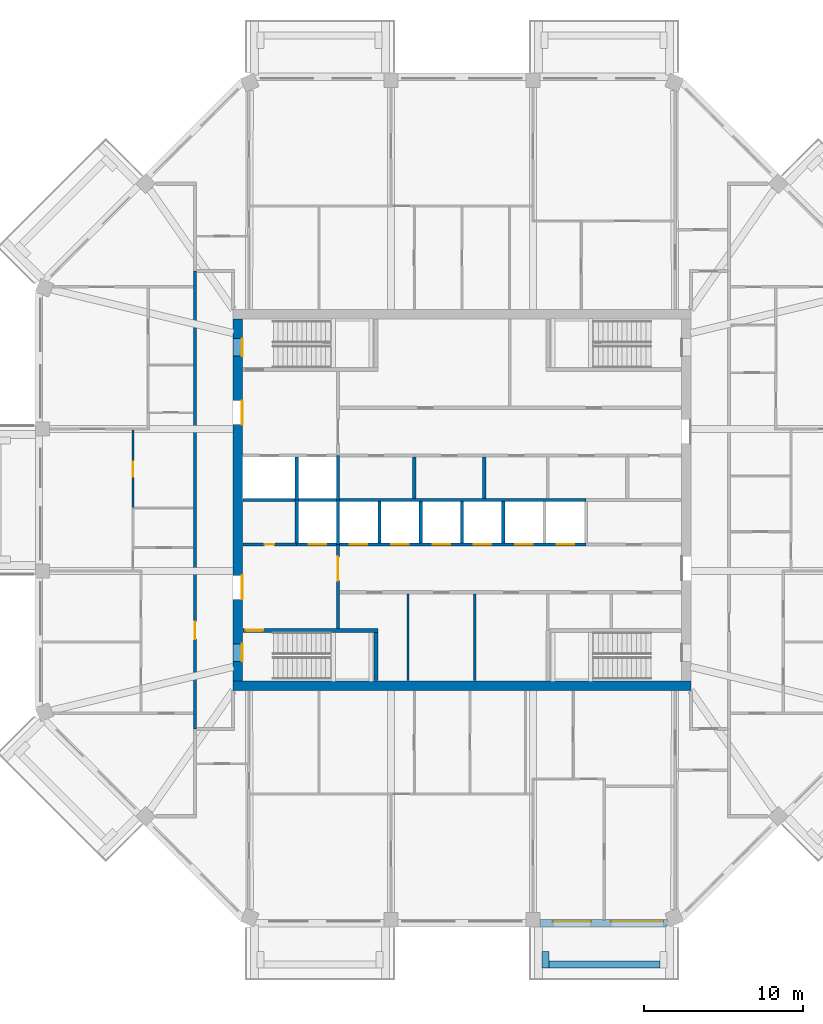
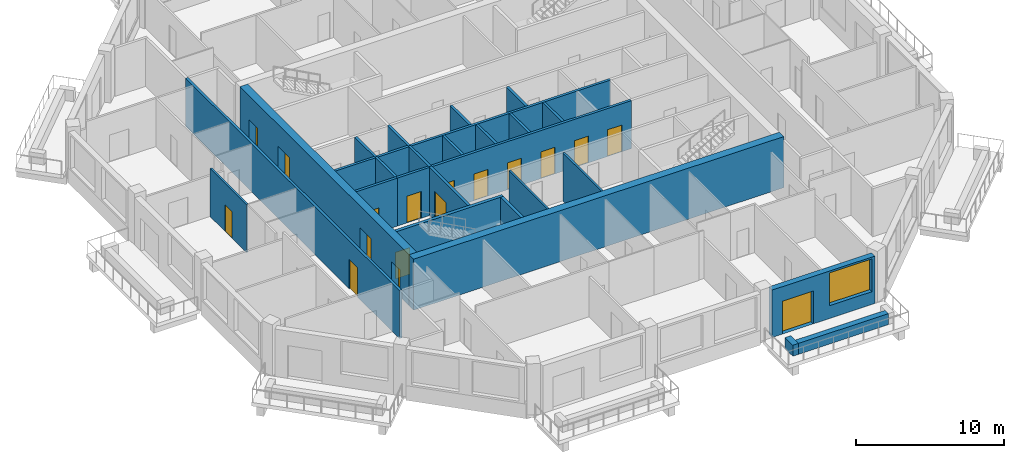
# One storey, part 4 of 12: 25 walls, 17 doors, 1 window, 18 openings.
"""IFC4 building model written with IfcOpenShell, lengths in metres."""

from ifc_helpers import new_model, si_unit, direction, frame, frame_2d, origin, place, context, subcontext, project, spatial, rectangle, extrude, material, layer, layer_set, type_object, element, fill, save


model = new_model("IFC4")

# Units and contexts
model_context = context("Model", 3, precision=1e-05, world=origin(), true_north=direction((0.0, 1.0)))
body_context = subcontext(model_context, "Body", "Model", "MODEL_VIEW")
ifc_project = project(units=[si_unit("LENGTHUNIT", "METRE"), si_unit("AREAUNIT", "SQUARE_METRE"), si_unit("VOLUMEUNIT", "CUBIC_METRE"), si_unit("PLANEANGLEUNIT", "RADIAN"), si_unit("MASSUNIT", "GRAM", prefix="KILO")], contexts=[model_context])

# Site, building, storey
site_placement = place(None, origin())
site = spatial("IfcSite", under=ifc_project, at=site_placement, CompositionType="ELEMENT")
building_placement = place(site_placement, origin())
building = spatial("IfcBuilding", under=site, at=building_placement, Name="Msitu Wima Residences", CompositionType="ELEMENT")
storey_placement = place(building_placement, frame((0.0, 0.0, 222.300048828125)))
storey = spatial("IfcBuildingStorey", under=building, at=storey_placement, Name="L51", CompositionType="ELEMENT", Elevation=222.300048828125)

# Walls
ifc_material_1 = material(Name="Facing brick")
ifc_layer_1 = layer(ifc_material_1, 0.06494140625, Name="Facing brick")
ifc_material_2 = material(Name="Concrete C40/50", Category="concrete")
ifc_layer_2 = layer(ifc_material_2, 0.156005859375, Name="Concrete C40/50")
ifc_material_3 = material(Name="Waterproofing membrane")
ifc_layer_3 = layer(ifc_material_3, 0.00390625, Name="Waterproofing membrane")
ifc_material_4 = material(Name="Planting soil and planting")
ifc_layer_4 = layer(ifc_material_4, 0.22509765625, Name="Planting soil and planting")
ifc_layer_set_1 = layer_set([ifc_layer_1, ifc_layer_2, ifc_layer_3, ifc_layer_4], Name="Concrete C40/50")
wall_type_1 = type_object("IfcWallType", Name="Balcony planter PLANTER PL450", PredefinedType="USERDEFINED", material=ifc_layer_set_1)
wall_1_placement = place(storey_placement, frame((5.468505859375, -29.22509765625, 0.0), z_axis=(0.0, 0.0, 1.0), x_axis=(1.0, 0.0, 0.0)))
element("IfcWall", 1, at=wall_1_placement, inside=storey, type_object=wall_type_1, Name="Balcony planter S2 L51", ObjectType="PLANTER", PredefinedType="USERDEFINED", context=body_context, shape_type="SweptSolid", body=[
    extrude(rectangle(XDim=6.9873046875, YDim=0.449951171875, at=frame_2d((3.49365234375, 0.0))), origin(), (0.0, 0.0, 1.0), 0.89990234375),
])
wall_2_placement = place(storey_placement, frame((5.24365234375, -28.39990234375, 0.0), z_axis=(0.0, 0.0, 1.0), x_axis=(0.0, -1.0, 0.0)))
element("IfcWall", 2, at=wall_2_placement, inside=storey, type_object=wall_type_1, Name="Balcony planter S2 L51", ObjectType="PLANTER", PredefinedType="USERDEFINED", context=body_context, shape_type="SweptSolid", body=[
    extrude(rectangle(XDim=1.050048828125, YDim=0.449951171875, at=frame_2d((0.52490234375, 0.0))), origin(), (0.0, 0.0, 1.0), 0.89990234375),
])

# Wall, openings, door, window
ifc_material_5 = material(Name="Brick (red buff mix)", Category="masonry")
ifc_layer_5 = layer(ifc_material_5, 0.449951171875)
ifc_layer_set_2 = layer_set([ifc_layer_5], Name="Brick (red buff mix)")
wall_type_2 = type_object("IfcWallType", Name="Brick infill wall BW450", PredefinedType="SOLIDWALL", material=ifc_layer_set_2)
wall_3_placement = place(storey_placement, frame((4.918701171875, -26.625, 0.0), z_axis=(0.0, 0.0, 1.0), x_axis=(1.0, 0.0, 0.0)))
wall_3 = element("IfcWall", 3, at=wall_3_placement, inside=storey, type_object=wall_type_2, Name="Brick infill wall L51 S2", PredefinedType="SOLIDWALL", context=body_context, shape_type="SweptSolid", body=[
    extrude(rectangle(XDim=8.0, YDim=0.449951171875, at=frame_2d((4.0, 0.0))), origin(), (0.0, 0.0, 1.0), 3.89990234375),
])
opening_1_placement = place(wall_3_placement, frame((0.800048828125, 0.0, 0.0)))
opening_1 = element("IfcOpeningElement", 4, at=opening_1_placement, cuts=wall_3, Name="Opening D50-51.007", PredefinedType="OPENING", context=body_context, shape_type="SweptSolid", body=[
    extrude(rectangle(XDim=2.39990234375, YDim=2.699951171875, at=frame_2d((1.199951171875, 1.35009765625))), frame((0.0, 0.23486328125, 0.0), z_axis=(0.0, -1.0, 0.0), x_axis=(1.0, 0.0, 0.0)), (0.0, 0.0, 1.0), 0.469970703125),
])
opening_2_placement = place(wall_3_placement, frame((4.4501953125, 0.0, 1.050048828125)))
opening_2 = element("IfcOpeningElement", 5, at=opening_2_placement, cuts=wall_3, Name="Opening W50-51.019", PredefinedType="OPENING", context=body_context, shape_type="SweptSolid", body=[
    extrude(rectangle(XDim=3.300048828125, YDim=2.699951171875, at=frame_2d((1.64990234375, 1.35009765625))), frame((0.0, 0.23486328125, 0.0), z_axis=(0.0, -1.0, 0.0), x_axis=(1.0, 0.0, 0.0)), (0.0, 0.0, 1.0), 0.469970703125),
])
ifc_material_6 = material(Name="Anodised aluminium, bronze finish, clear low-emissivity double glazing", Category="aluminium")
door_type_1 = type_object("IfcDoorType", Name="Balcony door D2400x2700", OperationType="SLIDING_TO_LEFT", PredefinedType="DOOR", material=ifc_material_6)
door_1_placement = place(opening_1_placement, origin())
door_1 = element("IfcDoor", 6, at=door_1_placement, inside=storey, type_object=door_type_1, Name="Balcony door L51 S2", OperationType="SINGLE_SWING_LEFT", OverallHeight=2.699951171875, OverallWidth=2.39990234375, PredefinedType="DOOR", context=body_context, shape_type="SweptSolid", body=[
    extrude(rectangle(XDim=2.39990234375, YDim=2.699951171875, at=frame_2d((1.199951171875, 1.35009765625))), frame((0.0, 0.1298828125, 0.0), z_axis=(0.0, -1.0, 0.0), x_axis=(1.0, 0.0, 0.0)), (0.0, 0.0, 1.0), 0.050048828125),
])
fill(opening_1, door_1)
window_type = type_object("IfcWindowType", Name="Window W3300x2700", PartitioningType="DOUBLE_PANEL_VERTICAL", PredefinedType="WINDOW", material=ifc_material_6)
window_placement = place(opening_2_placement, origin())
window = element("IfcWindow", 7, at=window_placement, inside=storey, type_object=window_type, Name="Window L51 S2.2", OverallHeight=2.699951171875, OverallWidth=3.300048828125, PartitioningType="SINGLE_PANEL", PredefinedType="WINDOW", context=body_context, shape_type="SweptSolid", body=[
    extrude(rectangle(XDim=3.300048828125, YDim=2.699951171875, at=frame_2d((1.64990234375, 1.35009765625))), frame((0.0, 0.135009765625, 0.0), z_axis=(0.0, -1.0, 0.0), x_axis=(1.0, 0.0, 0.0)), (0.0, 0.0, 1.0), 0.06005859375),
])
fill(opening_2, window)

# Wall
ifc_material_7 = material(Name="Concrete C50/60", Category="concrete")
ifc_layer_6 = layer(ifc_material_7, 0.60009765625)
ifc_layer_set_3 = layer_set([ifc_layer_6], Name="Concrete C50/60")
wall_type_3 = type_object("IfcWallType", Name="Core wall CW600 C50/60", PredefinedType="SHEAR", material=ifc_layer_set_3)
wall_4_placement = place(storey_placement, frame((-14.39990234375, -11.699951171875, 0.0), z_axis=(0.0, 0.0, 1.0), x_axis=(1.0, 0.0, 0.0)))
element("IfcWall", 8, at=wall_4_placement, inside=storey, type_object=wall_type_3, Name="Core wall", PredefinedType="SHEAR", context=body_context, shape_type="SweptSolid", body=[
    extrude(rectangle(XDim=28.7998046875, YDim=0.60009765625, at=frame_2d((14.39990234375, 0.0))), origin(), (0.0, 0.0, 1.0), 4.199951171875),
])

# Wall, openings, doors
wall_5_placement = place(storey_placement, frame((-14.10009765625, -11.39990234375, 0.0), z_axis=(0.0, 0.0, 1.0), x_axis=(0.0, 1.0, 0.0)))
wall_5 = element("IfcWall", 9, at=wall_5_placement, inside=storey, type_object=wall_type_3, Name="Core wall", PredefinedType="SHEAR", context=body_context, shape_type="SweptSolid", body=[
    extrude(rectangle(XDim=22.7998046875, YDim=0.60009765625, at=frame_2d((11.39990234375, 0.0))), origin(), (0.0, 0.0, 1.0), 4.199951171875),
])
opening_3_placement = place(wall_5_placement, frame((20.449951171875, 0.0, 0.0)))
opening_3 = element("IfcOpeningElement", 10, at=opening_3_placement, cuts=wall_5, Name="Opening D50-51.080", PredefinedType="OPENING", context=body_context, shape_type="SweptSolid", body=[
    extrude(rectangle(XDim=1.10009765625, YDim=2.199951171875, at=frame_2d((0.550048828125, 1.10009765625))), frame((0.0, 0.31005859375, 0.0), z_axis=(0.0, -1.0, 0.0), x_axis=(1.0, 0.0, 0.0)), (0.0, 0.0, 1.0), 0.6201171875),
])
opening_4_placement = place(wall_5_placement, frame((1.25, 0.0, 0.0)))
opening_4 = element("IfcOpeningElement", 11, at=opening_4_placement, cuts=wall_5, Name="Opening D50-51.082", PredefinedType="OPENING", context=body_context, shape_type="SweptSolid", body=[
    extrude(rectangle(XDim=1.10009765625, YDim=2.199951171875, at=frame_2d((0.550048828125, 1.10009765625))), frame((0.0, 0.31005859375, 0.0), z_axis=(0.0, -1.0, 0.0), x_axis=(1.0, 0.0, 0.0)), (0.0, 0.0, 1.0), 0.6201171875),
])
opening_5_placement = place(wall_5_placement, frame((16.14990234375, 0.0, 0.0)))
opening_5 = element("IfcOpeningElement", 12, at=opening_5_placement, cuts=wall_5, Name="Opening D50-51.061", PredefinedType="OPENING", context=body_context, shape_type="SweptSolid", body=[
    extrude(rectangle(XDim=1.5, YDim=2.39990234375, at=frame_2d((0.75, 1.199951171875))), frame((0.0, 0.31005859375, 0.0), z_axis=(0.0, -1.0, 0.0), x_axis=(1.0, 0.0, 0.0)), (0.0, 0.0, 1.0), 0.6201171875),
])
opening_6_placement = place(wall_5_placement, frame((5.14990234375, 0.0, 0.0)))
opening_6 = element("IfcOpeningElement", 13, at=opening_6_placement, cuts=wall_5, Name="Opening D50-51.063", PredefinedType="OPENING", context=body_context, shape_type="SweptSolid", body=[
    extrude(rectangle(XDim=1.5, YDim=2.39990234375, at=frame_2d((0.75, 1.199951171875))), frame((0.0, 0.31005859375, 0.0), z_axis=(0.0, -1.0, 0.0), x_axis=(1.0, 0.0, 0.0)), (0.0, 0.0, 1.0), 0.6201171875),
])
ifc_material_8 = material(Name="Steel framed glazed door, fire resisting", Category="steel")
door_type_2 = type_object("IfcDoorType", Name="Lobby door D07 1500x2400", OperationType="DOUBLE_DOOR_SINGLE_SWING", PredefinedType="DOOR", material=ifc_material_8)
door_2_placement = place(opening_5_placement, origin())
door_2 = element("IfcDoor", 14, at=door_2_placement, inside=storey, type_object=door_type_2, Name="Lobby door", OperationType="DOUBLE_DOOR_SINGLE_SWING", OverallHeight=2.39990234375, OverallWidth=1.5, PredefinedType="DOOR", context=body_context, shape_type="SweptSolid", body=[
    extrude(rectangle(XDim=1.5, YDim=2.39990234375, at=frame_2d((0.75, 1.199951171875))), frame((0.0, -0.2451171875, 0.0), z_axis=(0.0, -1.0, 0.0), x_axis=(1.0, 0.0, 0.0)), (0.0, 0.0, 1.0), 0.050048828125),
])
fill(opening_5, door_2)
door_3_placement = place(opening_6_placement, origin())
door_3 = element("IfcDoor", 15, at=door_3_placement, inside=storey, type_object=door_type_2, Name="Lobby door", OperationType="DOUBLE_DOOR_SINGLE_SWING", OverallHeight=2.39990234375, OverallWidth=1.5, PredefinedType="DOOR", context=body_context, shape_type="SweptSolid", body=[
    extrude(rectangle(XDim=1.5, YDim=2.39990234375, at=frame_2d((0.75, 1.199951171875))), frame((0.0, -0.2451171875, 0.0), z_axis=(0.0, -1.0, 0.0), x_axis=(1.0, 0.0, 0.0)), (0.0, 0.0, 1.0), 0.050048828125),
])
fill(opening_6, door_3)
ifc_material_9 = material(Name="Steel door, fire resisting, panic bar", Category="steel")
door_type_3 = type_object("IfcDoorType", Name="Stair door D06 1100x2200", OperationType="SINGLE_SWING_LEFT", PredefinedType="DOOR", material=ifc_material_9)
door_4_placement = place(opening_3_placement, origin())
door_4 = element("IfcDoor", 16, at=door_4_placement, inside=storey, type_object=door_type_3, Name="Stair door", OperationType="SINGLE_SWING_RIGHT", OverallHeight=2.199951171875, OverallWidth=1.10009765625, PredefinedType="DOOR", context=body_context, shape_type="SweptSolid", body=[
    extrude(rectangle(XDim=1.10009765625, YDim=2.199951171875, at=frame_2d((0.550048828125, 1.10009765625))), frame((0.0, -0.2451171875, 0.0), z_axis=(0.0, -1.0, 0.0), x_axis=(1.0, 0.0, 0.0)), (0.0, 0.0, 1.0), 0.050048828125),
])
fill(opening_3, door_4)
door_5_placement = place(opening_4_placement, origin())
door_5 = element("IfcDoor", 17, at=door_5_placement, inside=storey, type_object=door_type_3, Name="Stair door", OperationType="SINGLE_SWING_LEFT", OverallHeight=2.199951171875, OverallWidth=1.10009765625, PredefinedType="DOOR", context=body_context, shape_type="SweptSolid", body=[
    extrude(rectangle(XDim=1.10009765625, YDim=2.199951171875, at=frame_2d((0.550048828125, 1.10009765625))), frame((0.0, -0.2451171875, 0.0), z_axis=(0.0, -1.0, 0.0), x_axis=(1.0, 0.0, 0.0)), (0.0, 0.0, 1.0), 0.050048828125),
])
fill(opening_4, door_5)

# Wall, opening, door
ifc_material_10 = material(Name="Plaster")
ifc_layer_7 = layer(ifc_material_10, 0.011962890625, Name="Plaster")
ifc_material_11 = material(Name="Concrete blockwork", Category="masonry")
ifc_layer_8 = layer(ifc_material_11, 0.176025390625, Name="Concrete blockwork")
ifc_layer_9 = layer(ifc_material_10, 0.011962890625, Name="Plaster")
ifc_layer_set_4 = layer_set([ifc_layer_7, ifc_layer_8, ifc_layer_9], Name="Concrete blockwork")
wall_type_4 = type_object("IfcWallType", Name="Corridor wall FW200", PredefinedType="PARTITIONING", material=ifc_layer_set_4)
wall_6_placement = place(storey_placement, frame((-16.800048828125, -14.39990234375, 0.0), z_axis=(0.0, 0.0, 1.0), x_axis=(0.0, 1.0, 0.0)))
wall_6 = element("IfcWall", 18, at=wall_6_placement, inside=storey, type_object=wall_type_4, Name="Corridor wall", PredefinedType="PARTITIONING", context=body_context, shape_type="SweptSolid", body=[
    extrude(rectangle(XDim=28.7998046875, YDim=0.199951171875, at=frame_2d((14.39990234375, 0.0))), origin(), (0.0, 0.0, 1.0), 3.949951171875),
])
opening_7_placement = place(wall_6_placement, frame((5.64990234375, 0.0, 0.0)))
opening_7 = element("IfcOpeningElement", 19, at=opening_7_placement, cuts=wall_6, Name="Opening D50-51.035", PredefinedType="OPENING", context=body_context, shape_type="SweptSolid", body=[
    extrude(rectangle(XDim=1.10009765625, YDim=2.39990234375, at=frame_2d((0.550048828125, 1.199951171875))), frame((0.0, 0.10986328125, 0.0), z_axis=(0.0, -1.0, 0.0), x_axis=(1.0, 0.0, 0.0)), (0.0, 0.0, 1.0), 0.219970703125),
])
ifc_material_12 = material(Name="Timber flush door, fire resisting, self-closing", Category="wood")
door_type_4 = type_object("IfcDoorType", Name="Flat entrance door D01 1100x2400", OperationType="SINGLE_SWING_LEFT", PredefinedType="DOOR", material=ifc_material_12)
door_6_placement = place(opening_7_placement, origin())
door_6 = element("IfcDoor", 20, at=door_6_placement, inside=storey, type_object=door_type_4, Name="Flat entrance door", OperationType="SINGLE_SWING_LEFT", OverallHeight=2.39990234375, OverallWidth=1.10009765625, PredefinedType="DOOR", context=body_context, shape_type="SweptSolid", body=[
    extrude(rectangle(XDim=1.10009765625, YDim=2.39990234375, at=frame_2d((0.550048828125, 1.199951171875))), frame((0.0, 0.02490234375, 0.0), z_axis=(0.0, -1.0, 0.0), x_axis=(1.0, 0.0, 0.0)), (0.0, 0.0, 1.0), 0.050048828125),
])
fill(opening_7, door_6)

wall_7_placement = place(storey_placement, frame((-7.800048828125, -8.074951171875, 0.0), z_axis=(0.0, 0.0, 1.0), x_axis=(0.0, 1.0, 0.0)))
wall_7 = element("IfcWall", 21, at=wall_7_placement, inside=storey, type_object=wall_type_4, Name="Corridor wall", PredefinedType="PARTITIONING", context=body_context, shape_type="SweptSolid", body=[
    extrude(rectangle(XDim=5.27490234375, YDim=0.199951171875, at=frame_2d((2.637451171875, 0.0))), origin(), (0.0, 0.0, 1.0), 3.949951171875),
])
opening_8_placement = place(wall_7_placement, frame((3.0, 0.0, 0.0)))
opening_8 = element("IfcOpeningElement", 22, at=opening_8_placement, cuts=wall_7, Name="Opening D50-51.064", PredefinedType="OPENING", context=body_context, shape_type="SweptSolid", body=[
    extrude(rectangle(XDim=1.5, YDim=2.39990234375, at=frame_2d((0.75, 1.199951171875))), frame((0.0, 0.10986328125, 0.0), z_axis=(0.0, -1.0, 0.0), x_axis=(1.0, 0.0, 0.0)), (0.0, 0.0, 1.0), 0.219970703125),
])
door_7_placement = place(opening_8_placement, origin())
door_7 = element("IfcDoor", 23, at=door_7_placement, inside=storey, type_object=door_type_2, Name="Lobby door", OperationType="DOUBLE_DOOR_SINGLE_SWING", OverallHeight=2.39990234375, OverallWidth=1.5, PredefinedType="DOOR", context=body_context, shape_type="SweptSolid", body=[
    extrude(rectangle(XDim=1.5, YDim=2.39990234375, at=frame_2d((0.75, 1.199951171875))), frame((0.0, 0.02490234375, 0.0), z_axis=(0.0, -1.0, 0.0), x_axis=(1.0, 0.0, 0.0)), (0.0, 0.0, 1.0), 0.050048828125),
])
fill(opening_8, door_7)

ifc_layer_10 = layer(ifc_material_10, 0.011962890625, Name="Plaster")
ifc_layer_11 = layer(ifc_material_11, 0.1259765625, Name="Concrete blockwork")
ifc_layer_12 = layer(ifc_material_10, 0.011962890625, Name="Plaster")
ifc_layer_set_5 = layer_set([ifc_layer_10, ifc_layer_11, ifc_layer_12], Name="Concrete blockwork")
wall_type_5 = type_object("IfcWallType", Name="Partition PW150", PredefinedType="PARTITIONING", material=ifc_layer_set_5)
wall_8_placement = place(storey_placement, frame((-20.699951171875, -0.5, 0.0), z_axis=(0.0, 0.0, 1.0), x_axis=(0.0, 1.0, 0.0)))
wall_8 = element("IfcWall", 24, at=wall_8_placement, inside=storey, type_object=wall_type_5, Name="Partition", PredefinedType="PARTITIONING", context=body_context, shape_type="SweptSolid", body=[
    extrude(rectangle(XDim=4.8935546875, YDim=0.14990234375, at=frame_2d((2.44677734375, 0.0))), origin(), (0.0, 0.0, 1.0), 3.949951171875),
])
opening_9_placement = place(wall_8_placement, frame((1.949951171875, 0.0, 0.0)))
opening_9 = element("IfcOpeningElement", 25, at=opening_9_placement, cuts=wall_8, Name="Opening D50-51.044", PredefinedType="OPENING", context=body_context, shape_type="SweptSolid", body=[
    extrude(rectangle(XDim=0.949951171875, YDim=2.199951171875, at=frame_2d((0.47509765625, 1.10009765625))), frame((0.0, 0.0849609375, 0.0), z_axis=(0.0, -1.0, 0.0), x_axis=(1.0, 0.0, 0.0)), (0.0, 0.0, 1.0), 0.169921875),
])
ifc_material_13 = material(Name="Timber flush door", Category="wood")
door_type_5 = type_object("IfcDoorType", Name="Room door D12 950x2200", OperationType="SINGLE_SWING_LEFT", PredefinedType="DOOR", material=ifc_material_13)
door_8_placement = place(opening_9_placement, origin())
door_8 = element("IfcDoor", 26, at=door_8_placement, inside=storey, type_object=door_type_5, Name="Room door", OperationType="SINGLE_SWING_RIGHT", OverallHeight=2.199951171875, OverallWidth=0.949951171875, PredefinedType="DOOR", context=body_context, shape_type="SweptSolid", body=[
    extrude(rectangle(XDim=0.949951171875, YDim=2.199951171875, at=frame_2d((0.47509765625, 1.10009765625))), frame((0.0, 0.02490234375, 0.0), z_axis=(0.0, -1.0, 0.0), x_axis=(1.0, 0.0, 0.0)), (0.0, 0.0, 1.0), 0.050048828125),
])
fill(opening_9, door_8)

# Walls
for number, where, z_axis, x_axis, name in (
    (27, (-3.39990234375, -11.3701171875, 0.0), (0.0, 0.0, 1.0), (0.0, 1.0, 0.0), "Partition"),
    (28, (0.800048828125, -11.3701171875, 0.0), (0.0, 0.0, 1.0), (0.0, 1.0, 0.0), "Partition"),
):
    element("IfcWall", number, at=place(storey_placement, frame(where, z_axis=z_axis, x_axis=x_axis)), inside=storey, type_object=wall_type_5, Name=name, PredefinedType="PARTITIONING", context=body_context, shape_type="SweptSolid", body=[
        extrude(rectangle(XDim=5.47021484375, YDim=0.14990234375, at=frame_2d((2.735107421875, 0.0))), origin(), (0.0, 0.0, 1.0), 3.949951171875),
    ])

# Wall, opening, door
ifc_layer_13 = layer(ifc_material_10, 0.011962890625, Name="Plaster")
ifc_material_14 = material(Name="Reinforced concrete blockwork", Category="masonry")
ifc_layer_14 = layer(ifc_material_14, 0.176025390625, Name="Reinforced concrete blockwork")
ifc_layer_15 = layer(ifc_material_10, 0.011962890625, Name="Plaster")
ifc_layer_set_6 = layer_set([ifc_layer_13, ifc_layer_14, ifc_layer_15], Name="Reinforced concrete blockwork")
wall_type_6 = type_object("IfcWallType", Name="Plant and riser wall PL200", PredefinedType="PARTITIONING", material=ifc_layer_set_6)
wall_9_placement = place(storey_placement, frame((-13.77001953125, -2.800048828125, 0.0), z_axis=(0.0, 0.0, 1.0), x_axis=(1.0, 0.0, 0.0)))
wall_9 = element("IfcWall", 29, at=wall_9_placement, inside=storey, type_object=wall_type_6, Name="Plant and riser wall", PredefinedType="PARTITIONING", context=body_context, shape_type="SweptSolid", body=[
    extrude(rectangle(XDim=3.3701171875, YDim=0.199951171875, at=frame_2d((1.68505859375, 0.0))), origin(), (0.0, 0.0, 1.0), 3.949951171875),
])
opening_10_placement = place(wall_9_placement, frame((1.35009765625, 0.0, 0.0)))
opening_10 = element("IfcOpeningElement", 30, at=opening_10_placement, cuts=wall_9, Name="Opening D50-51.079", PredefinedType="OPENING", context=body_context, shape_type="SweptSolid", body=[
    extrude(rectangle(XDim=0.60009765625, YDim=2.0, at=frame_2d((0.300048828125, 1.0))), frame((0.0, 0.10986328125, 0.0), z_axis=(0.0, -1.0, 0.0), x_axis=(1.0, 0.0, 0.0)), (0.0, 0.0, 1.0), 0.219970703125),
])
ifc_material_15 = material(Name="Steel access door, fire resisting", Category="steel")
door_type_6 = type_object("IfcDoorType", Name="Riser access door D08 600x2000", OperationType="SINGLE_SWING_LEFT", PredefinedType="DOOR", material=ifc_material_15)
door_9_placement = place(opening_10_placement, origin())
door_9 = element("IfcDoor", 31, at=door_9_placement, inside=storey, type_object=door_type_6, Name="Riser access door", OperationType="SINGLE_SWING_RIGHT", OverallHeight=2.0, OverallWidth=0.60009765625, PredefinedType="DOOR", context=body_context, shape_type="SweptSolid", body=[
    extrude(rectangle(XDim=0.60009765625, YDim=2.0, at=frame_2d((0.300048828125, 1.0))), frame((0.0, 0.02490234375, 0.0), z_axis=(0.0, -1.0, 0.0), x_axis=(1.0, 0.0, 0.0)), (0.0, 0.0, 1.0), 0.050048828125),
])
fill(opening_10, door_9)

# Walls
for number, where, z_axis, x_axis, name in (
    (32, (-3.0, 0.10009765625, 0.0), (0.0, 0.0, 1.0), (0.0, 1.0, 0.0), "Plant and riser wall"),
    (33, (1.39990234375, 0.10009765625, 0.0), (0.0, 0.0, 1.0), (0.0, 1.0, 0.0), "Plant and riser wall"),
):
    element("IfcWall", number, at=place(storey_placement, frame(where, z_axis=z_axis, x_axis=x_axis)), inside=storey, type_object=wall_type_6, Name=name, PredefinedType="PARTITIONING", context=body_context, shape_type="SweptSolid", body=[
        extrude(rectangle(XDim=2.599853515625, YDim=0.199951171875, at=frame_2d((1.2998046875, 0.0))), origin(), (0.0, 0.0, 1.0), 3.949951171875),
    ])
ifc_material_16 = material(Name="Fire-rated board")
ifc_layer_16 = layer(ifc_material_16, 0.02490234375, Name="Fire-rated board")
ifc_material_17 = material(Name="Light-gauge stud framing with mineral wool")
ifc_layer_17 = layer(ifc_material_17, 0.14990234375, Name="Light-gauge stud framing with mineral wool")
ifc_layer_18 = layer(ifc_material_16, 0.02490234375, Name="Fire-rated board")
ifc_layer_set_7 = layer_set([ifc_layer_16, ifc_layer_17, ifc_layer_18], Name="Light-gauge stud framing with mineral wool")
wall_type_7 = type_object("IfcWallType", Name="Shaft wall SH200", PredefinedType="PARTITIONING", material=ifc_layer_set_7)
wall_10_placement = place(storey_placement, frame((-13.77001953125, 0.0, 0.0), z_axis=(0.0, 0.0, 1.0), x_axis=(1.0, 0.0, 0.0)))
element("IfcWall", 34, at=wall_10_placement, inside=storey, type_object=wall_type_7, Name="Shaft wall", PredefinedType="PARTITIONING", context=body_context, shape_type="SweptSolid", body=[
    extrude(rectangle(XDim=21.570068359375, YDim=0.199951171875, at=frame_2d((10.78515625, 0.0))), origin(), (0.0, 0.0, 1.0), 3.949951171875),
])
wall_11_placement = place(storey_placement, frame((-10.39990234375, -2.699951171875, 0.0), z_axis=(0.0, 0.0, 1.0), x_axis=(0.0, 1.0, 0.0)))
element("IfcWall", 35, at=wall_11_placement, inside=storey, type_object=wall_type_7, Name="Shaft wall", PredefinedType="PARTITIONING", context=body_context, shape_type="SweptSolid", body=[
    extrude(rectangle(XDim=2.699951171875, YDim=0.199951171875, at=frame_2d((1.35009765625, 0.0))), origin(), (0.0, 0.0, 1.0), 3.949951171875),
])

# Wall, openings, doors
wall_12_placement = place(storey_placement, frame((-10.39990234375, -2.800048828125, 0.0), z_axis=(0.0, 0.0, 1.0), x_axis=(1.0, 0.0, 0.0)))
wall_12 = element("IfcWall", 36, at=wall_12_placement, inside=storey, type_object=wall_type_7, Name="Shaft wall", PredefinedType="PARTITIONING", context=body_context, shape_type="SweptSolid", body=[
    extrude(rectangle(XDim=18.199951171875, YDim=0.199951171875, at=frame_2d((9.10009765625, 0.0))), origin(), (0.0, 0.0, 1.0), 3.949951171875),
])
opening_11_placement = place(wall_12_placement, frame((0.75, 0.0, 0.0)))
opening_11 = element("IfcOpeningElement", 37, at=opening_11_placement, cuts=wall_12, Name="Opening LD", PredefinedType="OPENING", context=body_context, shape_type="SweptSolid", body=[
    extrude(rectangle(XDim=1.10009765625, YDim=2.199951171875, at=frame_2d((0.550048828125, 1.10009765625))), frame((0.0, 0.10986328125, 0.0), z_axis=(0.0, -1.0, 0.0), x_axis=(1.0, 0.0, 0.0)), (0.0, 0.0, 1.0), 0.219970703125),
])
opening_12_placement = place(wall_12_placement, frame((3.35009765625, 0.0, 0.0)))
opening_12 = element("IfcOpeningElement", 38, at=opening_12_placement, cuts=wall_12, Name="Opening LD", PredefinedType="OPENING", context=body_context, shape_type="SweptSolid", body=[
    extrude(rectangle(XDim=1.10009765625, YDim=2.199951171875, at=frame_2d((0.550048828125, 1.10009765625))), frame((0.0, 0.10986328125, 0.0), z_axis=(0.0, -1.0, 0.0), x_axis=(1.0, 0.0, 0.0)), (0.0, 0.0, 1.0), 0.219970703125),
])
opening_13_placement = place(wall_12_placement, frame((5.949951171875, 0.0, 0.0)))
opening_13 = element("IfcOpeningElement", 39, at=opening_13_placement, cuts=wall_12, Name="Opening LD", PredefinedType="OPENING", context=body_context, shape_type="SweptSolid", body=[
    extrude(rectangle(XDim=1.10009765625, YDim=2.199951171875, at=frame_2d((0.550048828125, 1.10009765625))), frame((0.0, 0.10986328125, 0.0), z_axis=(0.0, -1.0, 0.0), x_axis=(1.0, 0.0, 0.0)), (0.0, 0.0, 1.0), 0.219970703125),
])
opening_14_placement = place(wall_12_placement, frame((8.550048828125, 0.0, 0.0)))
opening_14 = element("IfcOpeningElement", 40, at=opening_14_placement, cuts=wall_12, Name="Opening LD", PredefinedType="OPENING", context=body_context, shape_type="SweptSolid", body=[
    extrude(rectangle(XDim=1.10009765625, YDim=2.199951171875, at=frame_2d((0.550048828125, 1.10009765625))), frame((0.0, 0.10986328125, 0.0), z_axis=(0.0, -1.0, 0.0), x_axis=(1.0, 0.0, 0.0)), (0.0, 0.0, 1.0), 0.219970703125),
])
opening_15_placement = place(wall_12_placement, frame((11.14990234375, 0.0, 0.0)))
opening_15 = element("IfcOpeningElement", 41, at=opening_15_placement, cuts=wall_12, Name="Opening LD", PredefinedType="OPENING", context=body_context, shape_type="SweptSolid", body=[
    extrude(rectangle(XDim=1.10009765625, YDim=2.199951171875, at=frame_2d((0.550048828125, 1.10009765625))), frame((0.0, 0.10986328125, 0.0), z_axis=(0.0, -1.0, 0.0), x_axis=(1.0, 0.0, 0.0)), (0.0, 0.0, 1.0), 0.219970703125),
])
opening_16_placement = place(wall_12_placement, frame((13.75, 0.0, 0.0)))
opening_16 = element("IfcOpeningElement", 42, at=opening_16_placement, cuts=wall_12, Name="Opening LD", PredefinedType="OPENING", context=body_context, shape_type="SweptSolid", body=[
    extrude(rectangle(XDim=1.10009765625, YDim=2.199951171875, at=frame_2d((0.550048828125, 1.10009765625))), frame((0.0, 0.10986328125, 0.0), z_axis=(0.0, -1.0, 0.0), x_axis=(1.0, 0.0, 0.0)), (0.0, 0.0, 1.0), 0.219970703125),
])
opening_17_placement = place(wall_12_placement, frame((16.35009765625, 0.0, 0.0)))
opening_17 = element("IfcOpeningElement", 43, at=opening_17_placement, cuts=wall_12, Name="Opening LD", PredefinedType="OPENING", context=body_context, shape_type="SweptSolid", body=[
    extrude(rectangle(XDim=1.10009765625, YDim=2.199951171875, at=frame_2d((0.550048828125, 1.10009765625))), frame((0.0, 0.10986328125, 0.0), z_axis=(0.0, -1.0, 0.0), x_axis=(1.0, 0.0, 0.0)), (0.0, 0.0, 1.0), 0.219970703125),
])
ifc_material_18 = material(Name="Stainless steel centre-opening landing door, rated", Category="steel")
door_type_7 = type_object("IfcDoorType", Name="Lift landing door LD 1100x2200", OperationType="DOUBLE_DOOR_SLIDING", PredefinedType="DOOR", material=ifc_material_18)
door_10_placement = place(opening_11_placement, origin())
door_10 = element("IfcDoor", 44, at=door_10_placement, inside=storey, type_object=door_type_7, Name="Lift landing door LD3", OperationType="DOUBLE_DOOR_SLIDING", OverallHeight=2.199951171875, OverallWidth=1.10009765625, PredefinedType="DOOR", context=body_context, shape_type="SweptSolid", body=[
    extrude(rectangle(XDim=1.10009765625, YDim=2.199951171875, at=frame_2d((0.550048828125, 1.10009765625))), frame((0.0, 0.02490234375, 0.0), z_axis=(0.0, -1.0, 0.0), x_axis=(1.0, 0.0, 0.0)), (0.0, 0.0, 1.0), 0.050048828125),
])
fill(opening_11, door_10)
door_11_placement = place(opening_12_placement, origin())
door_11 = element("IfcDoor", 45, at=door_11_placement, inside=storey, type_object=door_type_7, Name="Lift landing door LD5", OperationType="DOUBLE_DOOR_SLIDING", OverallHeight=2.199951171875, OverallWidth=1.10009765625, PredefinedType="DOOR", context=body_context, shape_type="SweptSolid", body=[
    extrude(rectangle(XDim=1.10009765625, YDim=2.199951171875, at=frame_2d((0.550048828125, 1.10009765625))), frame((0.0, 0.02490234375, 0.0), z_axis=(0.0, -1.0, 0.0), x_axis=(1.0, 0.0, 0.0)), (0.0, 0.0, 1.0), 0.050048828125),
])
fill(opening_12, door_11)
door_12_placement = place(opening_13_placement, origin())
door_12 = element("IfcDoor", 46, at=door_12_placement, inside=storey, type_object=door_type_7, Name="Lift landing door LD7", OperationType="DOUBLE_DOOR_SLIDING", OverallHeight=2.199951171875, OverallWidth=1.10009765625, PredefinedType="DOOR", context=body_context, shape_type="SweptSolid", body=[
    extrude(rectangle(XDim=1.10009765625, YDim=2.199951171875, at=frame_2d((0.550048828125, 1.10009765625))), frame((0.0, 0.02490234375, 0.0), z_axis=(0.0, -1.0, 0.0), x_axis=(1.0, 0.0, 0.0)), (0.0, 0.0, 1.0), 0.050048828125),
])
fill(opening_13, door_12)
door_13_placement = place(opening_14_placement, origin())
door_13 = element("IfcDoor", 47, at=door_13_placement, inside=storey, type_object=door_type_7, Name="Lift landing door LD9", OperationType="DOUBLE_DOOR_SLIDING", OverallHeight=2.199951171875, OverallWidth=1.10009765625, PredefinedType="DOOR", context=body_context, shape_type="SweptSolid", body=[
    extrude(rectangle(XDim=1.10009765625, YDim=2.199951171875, at=frame_2d((0.550048828125, 1.10009765625))), frame((0.0, 0.02490234375, 0.0), z_axis=(0.0, -1.0, 0.0), x_axis=(1.0, 0.0, 0.0)), (0.0, 0.0, 1.0), 0.050048828125),
])
fill(opening_14, door_13)
door_14_placement = place(opening_15_placement, origin())
door_14 = element("IfcDoor", 48, at=door_14_placement, inside=storey, type_object=door_type_7, Name="Lift landing door LD11", OperationType="DOUBLE_DOOR_SLIDING", OverallHeight=2.199951171875, OverallWidth=1.10009765625, PredefinedType="DOOR", context=body_context, shape_type="SweptSolid", body=[
    extrude(rectangle(XDim=1.10009765625, YDim=2.199951171875, at=frame_2d((0.550048828125, 1.10009765625))), frame((0.0, 0.02490234375, 0.0), z_axis=(0.0, -1.0, 0.0), x_axis=(1.0, 0.0, 0.0)), (0.0, 0.0, 1.0), 0.050048828125),
])
fill(opening_15, door_14)
door_15_placement = place(opening_16_placement, origin())
door_15 = element("IfcDoor", 49, at=door_15_placement, inside=storey, type_object=door_type_7, Name="Lift landing door LD13", OperationType="DOUBLE_DOOR_SLIDING", OverallHeight=2.199951171875, OverallWidth=1.10009765625, PredefinedType="DOOR", context=body_context, shape_type="SweptSolid", body=[
    extrude(rectangle(XDim=1.10009765625, YDim=2.199951171875, at=frame_2d((0.550048828125, 1.10009765625))), frame((0.0, 0.02490234375, 0.0), z_axis=(0.0, -1.0, 0.0), x_axis=(1.0, 0.0, 0.0)), (0.0, 0.0, 1.0), 0.050048828125),
])
fill(opening_16, door_15)
door_16_placement = place(opening_17_placement, origin())
door_16 = element("IfcDoor", 50, at=door_16_placement, inside=storey, type_object=door_type_7, Name="Lift landing door LD15", OperationType="DOUBLE_DOOR_SLIDING", OverallHeight=2.199951171875, OverallWidth=1.10009765625, PredefinedType="DOOR", context=body_context, shape_type="SweptSolid", body=[
    extrude(rectangle(XDim=1.10009765625, YDim=2.199951171875, at=frame_2d((0.550048828125, 1.10009765625))), frame((0.0, 0.02490234375, 0.0), z_axis=(0.0, -1.0, 0.0), x_axis=(1.0, 0.0, 0.0)), (0.0, 0.0, 1.0), 0.050048828125),
])
fill(opening_17, door_16)

# Walls
wall_13_placement = place(storey_placement, frame((-10.39990234375, 0.0, 0.0), z_axis=(0.0, 0.0, 1.0), x_axis=(0.0, 1.0, 0.0)))
element("IfcWall", 51, at=wall_13_placement, inside=storey, type_object=wall_type_7, Name="Shaft wall", PredefinedType="PARTITIONING", context=body_context, shape_type="SweptSolid", body=[
    extrude(rectangle(XDim=2.699951171875, YDim=0.199951171875, at=frame_2d((1.35009765625, 0.0))), origin(), (0.0, 0.0, 1.0), 3.949951171875),
])
for number, where, z_axis, x_axis, name in (
    (52, (-7.800048828125, -2.800048828125, 0.0), (0.0, 0.0, 1.0), (0.0, 1.0, 0.0), "Shaft wall"),
    (53, (-7.800048828125, 0.0, 0.0), (0.0, 0.0, 1.0), (0.0, 1.0, 0.0), "Shaft wall"),
):
    element("IfcWall", number, at=place(storey_placement, frame(where, z_axis=z_axis, x_axis=x_axis)), inside=storey, type_object=wall_type_7, Name=name, PredefinedType="PARTITIONING", context=body_context, shape_type="SweptSolid", body=[
        extrude(rectangle(XDim=2.800048828125, YDim=0.199951171875, at=frame_2d((1.39990234375, 0.0))), origin(), (0.0, 0.0, 1.0), 3.949951171875),
    ])
for number, where, z_axis, x_axis, name in (
    (54, (-5.199951171875, -2.699951171875, 0.0), (0.0, 0.0, 1.0), (0.0, 1.0, 0.0), "Shaft wall"),
    (55, (-2.60009765625, -2.699951171875, 0.0), (0.0, 0.0, 1.0), (0.0, 1.0, 0.0), "Shaft wall"),
    (56, (0.0, -2.699951171875, 0.0), (0.0, 0.0, 1.0), (0.0, 1.0, 0.0), "Shaft wall"),
    (57, (2.60009765625, -2.699951171875, 0.0), (0.0, 0.0, 1.0), (0.0, 1.0, 0.0), "Shaft wall"),
):
    element("IfcWall", number, at=place(storey_placement, frame(where, z_axis=z_axis, x_axis=x_axis)), inside=storey, type_object=wall_type_7, Name=name, PredefinedType="PARTITIONING", context=body_context, shape_type="SweptSolid", body=[
        extrude(rectangle(XDim=2.599853515625, YDim=0.199951171875, at=frame_2d((1.2998046875, 0.0))), origin(), (0.0, 0.0, 1.0), 3.949951171875),
    ])

# Wall, opening, door
ifc_layer_19 = layer(ifc_material_7, 0.25)
ifc_layer_set_8 = layer_set([ifc_layer_19], Name="Concrete C50/60")
wall_type_8 = type_object("IfcWallType", Name="Stair enclosure wall SW250", PredefinedType="SHEAR", material=ifc_layer_set_8)
wall_14_placement = place(storey_placement, frame((-13.77001953125, -8.199951171875, 0.0), z_axis=(0.0, 0.0, 1.0), x_axis=(1.0, 0.0, 0.0)))
wall_14 = element("IfcWall", 58, at=wall_14_placement, inside=storey, type_object=wall_type_8, Name="Stair enclosure wall", PredefinedType="SHEAR", context=body_context, shape_type="SweptSolid", body=[
    extrude(rectangle(XDim=8.4951171875, YDim=0.25, at=frame_2d((4.24755859375, 0.0))), origin(), (0.0, 0.0, 1.0), 3.949951171875),
])
opening_18_placement = place(wall_14_placement, frame((0.14990234375, 0.0, 0.0)))
opening_18 = element("IfcOpeningElement", 59, at=opening_18_placement, cuts=wall_14, Name="Opening D50-51.083", PredefinedType="OPENING", context=body_context, shape_type="SweptSolid", body=[
    extrude(rectangle(XDim=1.10009765625, YDim=2.199951171875, at=frame_2d((0.550048828125, 1.10009765625))), frame((0.0, 0.135009765625, 0.0), z_axis=(0.0, -1.0, 0.0), x_axis=(1.0, 0.0, 0.0)), (0.0, 0.0, 1.0), 0.27001953125),
])
door_17_placement = place(opening_18_placement, origin())
door_17 = element("IfcDoor", 60, at=door_17_placement, inside=storey, type_object=door_type_3, Name="Stair door", OperationType="SINGLE_SWING_RIGHT", OverallHeight=2.199951171875, OverallWidth=1.10009765625, PredefinedType="DOOR", context=body_context, shape_type="SweptSolid", body=[
    extrude(rectangle(XDim=1.10009765625, YDim=2.199951171875, at=frame_2d((0.550048828125, 1.10009765625))), frame((0.0, 0.02490234375, 0.0), z_axis=(0.0, -1.0, 0.0), x_axis=(1.0, 0.0, 0.0)), (0.0, 0.0, 1.0), 0.050048828125),
])
fill(opening_18, door_17)

# Wall
wall_15_placement = place(storey_placement, frame((-5.39990234375, -11.3701171875, 0.0), z_axis=(0.0, 0.0, 1.0), x_axis=(0.0, 1.0, 0.0)))
element("IfcWall", 61, at=wall_15_placement, inside=storey, type_object=wall_type_8, Name="Stair enclosure wall", PredefinedType="SHEAR", context=body_context, shape_type="SweptSolid", body=[
    extrude(rectangle(XDim=3.045166015625, YDim=0.25, at=frame_2d((1.5224609375, 0.0))), origin(), (0.0, 0.0, 1.0), 3.949951171875),
])

save(model, "model.ifc")
